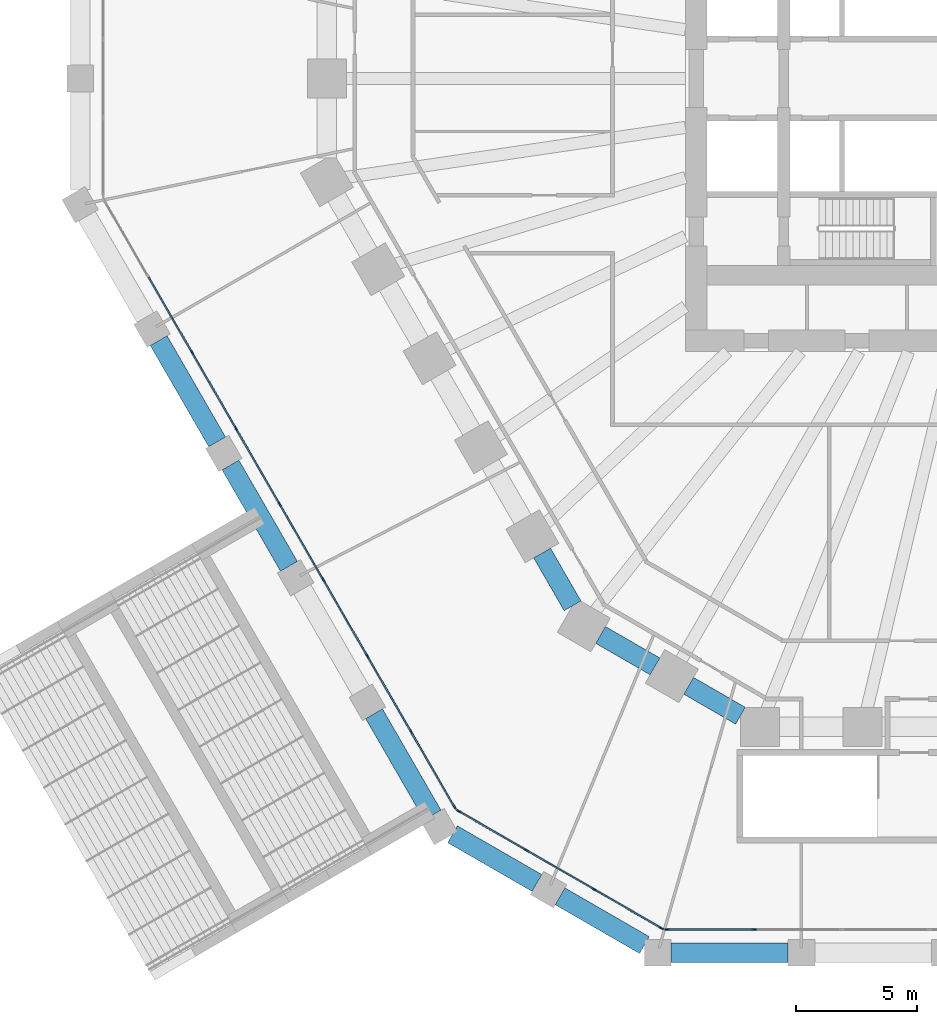
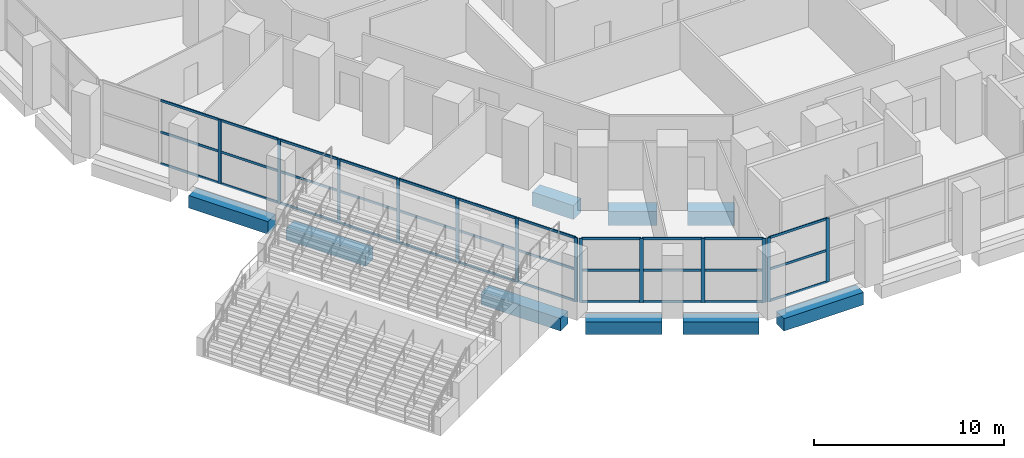
# One storey, part 2 of 38: 46 members, 9 beams, 3 elements without a shape of their own.
"""IFC4 building model written with IfcOpenShell, lengths in metres."""

from ifc_helpers import new_model, si_unit, direction, frame, origin, origin_2d, place, context, subcontext, project, spatial, rectangle, extrude, material, material_profile, profile_set, type_object, element, aggregate, save


model = new_model("IFC4")

# Units and contexts
model_context = context("Model", 3, precision=1e-05, world=origin(), true_north=direction((0.0, 1.0)))
body_context = subcontext(model_context, "Body", "Model", "MODEL_VIEW")
ifc_project = project(units=[si_unit("LENGTHUNIT", "METRE"), si_unit("AREAUNIT", "SQUARE_METRE"), si_unit("VOLUMEUNIT", "CUBIC_METRE"), si_unit("PLANEANGLEUNIT", "RADIAN"), si_unit("MASSUNIT", "GRAM", prefix="KILO")], contexts=[model_context])

# Site, building, storey
site_placement = place(None, origin())
site = spatial("IfcSite", under=ifc_project, at=site_placement, CompositionType="ELEMENT")
building_placement = place(site_placement, origin())
building = spatial("IfcBuilding", under=site, at=building_placement, Name="Frailejon Research Tower", CompositionType="ELEMENT")
storey_placement = place(building_placement, frame((0.0, 0.0, 10.199951171875)))
storey = spatial("IfcBuildingStorey", under=building, at=storey_placement, Name="L02", CompositionType="ELEMENT", Elevation=10.199951171875)

# Beams
ifc_material_1 = material(Name="Concrete C60/75", Category="concrete")
ifc_material_profile_1 = material_profile(ifc_material_1, rectangle(XDim=0.800048828125, YDim=0.800048828125, at=origin_2d()), Name="Base ring beam")
ifc_profile_set_1 = profile_set([ifc_material_profile_1], Name="Concrete C60/75")
beam_type_1 = type_object("IfcBeamType", Name="Base ring beam", PredefinedType="BEAM", material=ifc_profile_set_1)
for number, where, z_axis, x_axis, name in (
    (1, (-35.33740234375, -10.7939453125, -0.75), (0.50000634465, -0.866021740668, 0.0), (0.866021740668, 0.50000634465, 0.0), "Base ring beam"),
    (2, (-32.38037109375, -15.91552734375, -0.75), (0.50000634465, -0.866021740668, 0.0), (0.866021740668, 0.50000634465, 0.0), "Base ring beam"),
):
    element("IfcBeam", number, at=place(storey_placement, frame(where, z_axis=z_axis, x_axis=x_axis)), inside=storey, type_object=beam_type_1, Name=name, PredefinedType="BEAM", context=body_context, shape_type="SweptSolid", body=[
        extrude(rectangle(XDim=0.800048828125, YDim=0.800048828125, at=origin_2d()), origin(), (0.0, 0.0, 1.0), 4.81396484375),
    ])
beam_1_placement = place(storey_placement, frame((-26.466552734375, -26.15869140625, -0.75), z_axis=(0.500028306193, -0.866009060579, 0.0), x_axis=(0.866009060579, 0.500028306193, 0.0)))
element("IfcBeam", 3, at=beam_1_placement, inside=storey, type_object=beam_type_1, Name="Base ring beam", PredefinedType="BEAM", context=body_context, shape_type="SweptSolid", body=[
    extrude(rectangle(XDim=0.800048828125, YDim=0.800048828125, at=origin_2d()), origin(), (0.0, 0.0, 1.0), 4.813720703125),
])
for number, where, z_axis, x_axis, name in (
    (4, (-23.234619140625, -31.121337890625, -0.75), (0.866013269967, -0.500021015799, 0.0), (0.500021015799, 0.866013269967, 0.0), "Base ring beam"),
    (5, (-18.808349609375, -33.677001953125, -0.75), (0.866013269967, -0.500021015799, 0.0), (0.500021015799, 0.866013269967, 0.0), "Base ring beam"),
):
    element("IfcBeam", number, at=place(storey_placement, frame(where, z_axis=z_axis, x_axis=x_axis)), inside=storey, type_object=beam_type_1, Name=name, PredefinedType="BEAM", context=body_context, shape_type="SweptSolid", body=[
        extrude(rectangle(XDim=0.800048828125, YDim=0.800048828125, at=origin_2d()), origin(), (0.0, 0.0, 1.0), 4.010986328125),
    ])
beam_2_placement = place(storey_placement, frame((-14.234619140625, -36.0, -0.75), z_axis=(1.0, 0.0, 0.0), x_axis=(0.0, 1.0, 0.0)))
element("IfcBeam", 6, at=beam_2_placement, inside=storey, type_object=beam_type_1, Name="Base ring beam", PredefinedType="BEAM", context=body_context, shape_type="SweptSolid", body=[
    extrude(rectangle(XDim=0.800048828125, YDim=0.800048828125, at=origin_2d()), origin(), (0.0, 0.0, 1.0), 4.813720703125),
])
ifc_material_2 = material(Name="Concrete C60/75", Category="concrete")
ifc_material_profile_2 = material_profile(ifc_material_2, rectangle(XDim=0.800048828125, YDim=0.89990234375, at=origin_2d()), Name="Podium ring beam")
ifc_profile_set_2 = profile_set([ifc_material_profile_2], Name="Concrete C60/75")
beam_type_2 = type_object("IfcBeamType", Name="Podium ring beam", PredefinedType="BEAM", material=ifc_profile_set_2)
beam_3_placement = place(storey_placement, frame((-19.548828125, -19.540283203125, -0.800048828125), z_axis=(0.499949964382, -0.866054289935, 0.0), x_axis=(0.866054289935, 0.499949964382, 0.0)))
element("IfcBeam", 7, at=beam_3_placement, inside=storey, type_object=beam_type_2, Name="Podium ring beam", PredefinedType="BEAM", context=body_context, shape_type="SweptSolid", body=[
    extrude(rectangle(XDim=0.800048828125, YDim=0.89990234375, at=origin_2d()), origin(), (0.0, 0.0, 1.0), 2.508056640625),
])
beam_4_placement = place(storey_placement, frame((-17.14013671875, -22.912353515625, -0.800048828125), z_axis=(0.866004899711, -0.500035512416, 0.0), x_axis=(0.500035512416, 0.866004899711, 0.0)))
element("IfcBeam", 8, at=beam_4_placement, inside=storey, type_object=beam_type_2, Name="Podium ring beam", PredefinedType="BEAM", context=body_context, shape_type="SweptSolid", body=[
    extrude(rectangle(XDim=0.800048828125, YDim=0.89990234375, at=origin_2d()), origin(), (0.0, 0.0, 1.0), 2.587646484375),
])
beam_5_placement = place(storey_placement, frame((-13.513671875, -25.006103515625, -0.800048828125), z_axis=(0.86602717807, -0.499996926835, 0.0), x_axis=(0.499996926835, 0.86602717807, 0.0)))
element("IfcBeam", 9, at=beam_5_placement, inside=storey, type_object=beam_type_2, Name="Podium ring beam", PredefinedType="BEAM", context=body_context, shape_type="SweptSolid", body=[
    extrude(rectangle(XDim=0.800048828125, YDim=0.89990234375, at=origin_2d()), origin(), (0.0, 0.0, 1.0), 2.4638671875),
])

# Curtain wall, members
ifc_material_3 = material(Name="Aluminium curtain wall", Category="aluminium")
curtain_wall_type = type_object("IfcCurtainWallType", Name="Podium stick curtain wall system", PredefinedType="NOTDEFINED", material=ifc_material_3)
curtain_wall_1_placement = place(storey_placement, origin())
curtain_wall_1 = element("IfcCurtainWall", 10, at=curtain_wall_1_placement, inside=storey, type_object=curtain_wall_type, Name="Curtain wall L02", PredefinedType="NOTDEFINED")
ifc_material_4 = material(Name="Aluminium extrusion", Category="aluminium")
ifc_material_profile_3 = material_profile(ifc_material_4, rectangle(XDim=0.06005859375, YDim=0.199951171875, at=origin_2d()), Name="Podium stick curtain wall mullion 60x200")
ifc_profile_set_3 = profile_set([ifc_material_profile_3], Name="Aluminium extrusion")
member_type_1 = type_object("IfcMemberType", Name="Podium stick curtain wall mullion 60x200", PredefinedType="MULLION", material=ifc_profile_set_3)
member_1_placement = place(storey_placement, frame((-33.961669921875, -11.276611328125, 0.0), z_axis=(0.0, 0.0, 1.0), x_axis=(0.86602632934, 0.499998396888, 0.0)))
member_1 = element("IfcMember", 11, at=member_1_placement, type_object=member_type_1, Name="CW2-040 mullion 3", PredefinedType="MULLION", context=body_context, shape_type="SweptSolid", body=[
    extrude(rectangle(XDim=0.06005859375, YDim=0.199951171875, at=origin_2d()), origin(), (0.0, 0.0, 1.0), 4.10009765625),
])
member_2_placement = place(storey_placement, frame((-32.157958984375, -14.40087890625, 0.0), z_axis=(0.0, 0.0, 1.0), x_axis=(0.86602632934, 0.499998396888, 0.0)))
member_2 = element("IfcMember", 12, at=member_2_placement, type_object=member_type_1, Name="CW2-040 mullion 4", PredefinedType="MULLION", context=body_context, shape_type="SweptSolid", body=[
    extrude(rectangle(XDim=0.06005859375, YDim=0.199951171875, at=origin_2d()), origin(), (0.0, 0.0, 1.0), 4.10009765625),
])
member_3_placement = place(storey_placement, frame((-30.354248046875, -17.52490234375, 0.0), z_axis=(0.0, 0.0, 1.0), x_axis=(0.86602632934, 0.499998396888, 0.0)))
member_3 = element("IfcMember", 13, at=member_3_placement, type_object=member_type_1, Name="CW2-040 mullion 5", PredefinedType="MULLION", context=body_context, shape_type="SweptSolid", body=[
    extrude(rectangle(XDim=0.06005859375, YDim=0.199951171875, at=origin_2d()), origin(), (0.0, 0.0, 1.0), 4.10009765625),
])
member_4_placement = place(storey_placement, frame((-28.550537109375, -20.649169921875, 0.0), z_axis=(0.0, 0.0, 1.0), x_axis=(0.86602632934, 0.499998396888, 0.0)))
member_4 = element("IfcMember", 14, at=member_4_placement, type_object=member_type_1, Name="CW2-040 mullion 6", PredefinedType="MULLION", context=body_context, shape_type="SweptSolid", body=[
    extrude(rectangle(XDim=0.06005859375, YDim=0.199951171875, at=origin_2d()), origin(), (0.0, 0.0, 1.0), 4.10009765625),
])
member_5_placement = place(storey_placement, frame((-26.74658203125, -23.7734375, 0.0), z_axis=(0.0, 0.0, 1.0), x_axis=(0.86602632934, 0.499998396888, 0.0)))
member_5 = element("IfcMember", 15, at=member_5_placement, type_object=member_type_1, Name="CW2-040 mullion 7", PredefinedType="MULLION", context=body_context, shape_type="SweptSolid", body=[
    extrude(rectangle(XDim=0.06005859375, YDim=0.199951171875, at=origin_2d()), origin(), (0.0, 0.0, 1.0), 4.10009765625),
])
member_6_placement = place(storey_placement, frame((-24.94287109375, -26.897705078125, 0.0), z_axis=(0.0, 0.0, 1.0), x_axis=(0.86602632934, 0.499998396888, 0.0)))
member_6 = element("IfcMember", 16, at=member_6_placement, type_object=member_type_1, Name="CW2-040 mullion 8", PredefinedType="MULLION", context=body_context, shape_type="SweptSolid", body=[
    extrude(rectangle(XDim=0.06005859375, YDim=0.199951171875, at=origin_2d()), origin(), (0.0, 0.0, 1.0), 4.10009765625),
])
member_7_placement = place(storey_placement, frame((-23.154296875, -29.995849609375, 0.0), z_axis=(0.0, 0.0, 1.0), x_axis=(0.86602632934, 0.499998396888, 0.0)))
member_7 = element("IfcMember", 17, at=member_7_placement, type_object=member_type_1, Name="CW2-040 mullion 9", PredefinedType="MULLION", context=body_context, shape_type="SweptSolid", body=[
    extrude(rectangle(XDim=0.06005859375, YDim=0.199951171875, at=origin_2d()), origin(), (0.0, 0.0, 1.0), 4.10009765625),
])

curtain_wall_2_placement = place(storey_placement, origin())
curtain_wall_2 = element("IfcCurtainWall", 18, at=curtain_wall_2_placement, inside=storey, type_object=curtain_wall_type, Name="Curtain wall L02", PredefinedType="NOTDEFINED")
member_8_placement = place(storey_placement, frame((-22.9765625, -30.17333984375, 0.0), z_axis=(0.0, 0.0, 1.0), x_axis=(0.499999874334, 0.866025476338, 0.0)))
member_8 = element("IfcMember", 19, at=member_8_placement, type_object=member_type_1, Name="CW2-041 mullion 1", PredefinedType="MULLION", context=body_context, shape_type="SweptSolid", body=[
    extrude(rectangle(XDim=0.06005859375, YDim=0.199951171875, at=origin_2d()), origin(), (0.0, 0.0, 1.0), 4.10009765625),
])
member_9_placement = place(storey_placement, frame((-20.207275390625, -31.772216796875, 0.0), z_axis=(0.0, 0.0, 1.0), x_axis=(0.499999874334, 0.866025476338, 0.0)))
member_9 = element("IfcMember", 20, at=member_9_placement, type_object=member_type_1, Name="CW2-041 mullion 2", PredefinedType="MULLION", context=body_context, shape_type="SweptSolid", body=[
    extrude(rectangle(XDim=0.06005859375, YDim=0.199951171875, at=origin_2d()), origin(), (0.0, 0.0, 1.0), 4.10009765625),
])
member_10_placement = place(storey_placement, frame((-17.412109375, -33.38623046875, 0.0), z_axis=(0.0, 0.0, 1.0), x_axis=(0.499999874334, 0.866025476338, 0.0)))
member_10 = element("IfcMember", 21, at=member_10_placement, type_object=member_type_1, Name="CW2-041 mullion 3", PredefinedType="MULLION", context=body_context, shape_type="SweptSolid", body=[
    extrude(rectangle(XDim=0.06005859375, YDim=0.199951171875, at=origin_2d()), origin(), (0.0, 0.0, 1.0), 4.10009765625),
])
member_11_placement = place(storey_placement, frame((-14.642578125, -34.985107421875, 0.0), z_axis=(0.0, 0.0, 1.0), x_axis=(0.499999874334, 0.866025476338, 0.0)))
member_11 = element("IfcMember", 22, at=member_11_placement, type_object=member_type_1, Name="CW2-041 mullion 4", PredefinedType="MULLION", context=body_context, shape_type="SweptSolid", body=[
    extrude(rectangle(XDim=0.06005859375, YDim=0.199951171875, at=origin_2d()), origin(), (0.0, 0.0, 1.0), 4.10009765625),
])

curtain_wall_3_placement = place(storey_placement, origin())
curtain_wall_3 = element("IfcCurtainWall", 23, at=curtain_wall_3_placement, inside=storey, type_object=curtain_wall_type, Name="Curtain wall L02", PredefinedType="NOTDEFINED")
member_12_placement = place(storey_placement, frame((-14.400146484375, -35.050048828125, 0.0), z_axis=(0.0, 0.0, 1.0), x_axis=(0.0, 1.0, 0.0)))
member_12 = element("IfcMember", 24, at=member_12_placement, type_object=member_type_1, Name="CW2-042 mullion 1", PredefinedType="MULLION", context=body_context, shape_type="SweptSolid", body=[
    extrude(rectangle(XDim=0.06005859375, YDim=0.199951171875, at=origin_2d()), origin(), (0.0, 0.0, 1.0), 4.10009765625),
])
member_13_placement = place(storey_placement, frame((-10.822509765625, -35.050048828125, 0.0), z_axis=(0.0, 0.0, 1.0), x_axis=(0.0, 1.0, 0.0)))
member_13 = element("IfcMember", 25, at=member_13_placement, type_object=member_type_1, Name="CW2-042 mullion 2", PredefinedType="MULLION", context=body_context, shape_type="SweptSolid", body=[
    extrude(rectangle(XDim=0.06005859375, YDim=0.199951171875, at=origin_2d()), origin(), (0.0, 0.0, 1.0), 4.10009765625),
])

# Member
ifc_material_5 = material(Name="Aluminium extrusion", Category="aluminium")
ifc_material_profile_4 = material_profile(ifc_material_5, rectangle(XDim=0.06005859375, YDim=0.14990234375, at=origin_2d()), Name="Podium stick curtain wall transom 60x150")
ifc_profile_set_4 = profile_set([ifc_material_profile_4], Name="Aluminium extrusion")
member_type_2 = type_object("IfcMemberType", Name="Podium stick curtain wall transom 60x150", PredefinedType="USERDEFINED", material=ifc_profile_set_4)
member_14_placement = place(storey_placement, frame((-35.75048828125, -8.178466796875, 0.030029296875), z_axis=(0.499980603476, -0.866036602083, 0.0), x_axis=(0.866036602083, 0.499980603476, 0.0)))
member_14 = element("IfcMember", 26, at=member_14_placement, type_object=member_type_2, Name="CW2-040 transom 2.1", ObjectType="TRANSOM", PredefinedType="USERDEFINED", context=body_context, shape_type="SweptSolid", body=[
    extrude(rectangle(XDim=0.06005859375, YDim=0.14990234375, at=origin_2d()), origin(), (0.0, 0.0, 1.0), 3.547607421875),
])

member_15_placement = place(storey_placement, frame((-35.75048828125, -8.178466796875, 2.050048828125), z_axis=(0.499980603476, -0.866036602083, 0.0), x_axis=(0.866036602083, 0.499980603476, 0.0)))
member_15 = element("IfcMember", 27, at=member_15_placement, type_object=member_type_2, Name="CW2-040 transom 2.2", ObjectType="TRANSOM", PredefinedType="USERDEFINED", context=body_context, shape_type="SweptSolid", body=[
    extrude(rectangle(XDim=0.06005859375, YDim=0.14990234375, at=origin_2d()), origin(), (0.0, 0.0, 1.0), 3.547607421875),
])

member_16_placement = place(storey_placement, frame((-35.75048828125, -8.178466796875, 4.070068359375), z_axis=(0.499980603476, -0.866036602083, 0.0), x_axis=(0.866036602083, 0.499980603476, 0.0)))
member_16 = element("IfcMember", 28, at=member_16_placement, type_object=member_type_2, Name="CW2-040 transom 2.3", ObjectType="TRANSOM", PredefinedType="USERDEFINED", context=body_context, shape_type="SweptSolid", body=[
    extrude(rectangle(XDim=0.06005859375, YDim=0.14990234375, at=origin_2d()), origin(), (0.0, 0.0, 1.0), 3.547607421875),
])

member_17_placement = place(storey_placement, frame((-33.94677734375, -11.302490234375, 0.030029296875), z_axis=(0.500032217487, -0.86600680221, 0.0), x_axis=(0.86600680221, 0.500032217487, 0.0)))
member_17 = element("IfcMember", 29, at=member_17_placement, type_object=member_type_2, Name="CW2-040 transom 3.1", ObjectType="TRANSOM", PredefinedType="USERDEFINED", context=body_context, shape_type="SweptSolid", body=[
    extrude(rectangle(XDim=0.06005859375, YDim=0.14990234375, at=origin_2d()), origin(), (0.0, 0.0, 1.0), 3.547607421875),
])

member_18_placement = place(storey_placement, frame((-33.94677734375, -11.302490234375, 2.050048828125), z_axis=(0.500032217487, -0.86600680221, 0.0), x_axis=(0.86600680221, 0.500032217487, 0.0)))
member_18 = element("IfcMember", 30, at=member_18_placement, type_object=member_type_2, Name="CW2-040 transom 3.2", ObjectType="TRANSOM", PredefinedType="USERDEFINED", context=body_context, shape_type="SweptSolid", body=[
    extrude(rectangle(XDim=0.06005859375, YDim=0.14990234375, at=origin_2d()), origin(), (0.0, 0.0, 1.0), 3.547607421875),
])

member_19_placement = place(storey_placement, frame((-33.94677734375, -11.302490234375, 4.070068359375), z_axis=(0.500032217487, -0.86600680221, 0.0), x_axis=(0.86600680221, 0.500032217487, 0.0)))
member_19 = element("IfcMember", 31, at=member_19_placement, type_object=member_type_2, Name="CW2-040 transom 3.3", ObjectType="TRANSOM", PredefinedType="USERDEFINED", context=body_context, shape_type="SweptSolid", body=[
    extrude(rectangle(XDim=0.06005859375, YDim=0.14990234375, at=origin_2d()), origin(), (0.0, 0.0, 1.0), 3.547607421875),
])

member_20_placement = place(storey_placement, frame((-32.14306640625, -14.4267578125, 0.030029296875), z_axis=(0.500032217487, -0.86600680221, 0.0), x_axis=(0.86600680221, 0.500032217487, 0.0)))
member_20 = element("IfcMember", 32, at=member_20_placement, type_object=member_type_2, Name="CW2-040 transom 4.1", ObjectType="TRANSOM", PredefinedType="USERDEFINED", context=body_context, shape_type="SweptSolid", body=[
    extrude(rectangle(XDim=0.06005859375, YDim=0.14990234375, at=origin_2d()), origin(), (0.0, 0.0, 1.0), 3.547607421875),
])

member_21_placement = place(storey_placement, frame((-32.14306640625, -14.4267578125, 2.050048828125), z_axis=(0.500032217487, -0.86600680221, 0.0), x_axis=(0.86600680221, 0.500032217487, 0.0)))
member_21 = element("IfcMember", 33, at=member_21_placement, type_object=member_type_2, Name="CW2-040 transom 4.2", ObjectType="TRANSOM", PredefinedType="USERDEFINED", context=body_context, shape_type="SweptSolid", body=[
    extrude(rectangle(XDim=0.06005859375, YDim=0.14990234375, at=origin_2d()), origin(), (0.0, 0.0, 1.0), 3.547607421875),
])

member_22_placement = place(storey_placement, frame((-32.14306640625, -14.4267578125, 4.070068359375), z_axis=(0.500032217487, -0.86600680221, 0.0), x_axis=(0.86600680221, 0.500032217487, 0.0)))
member_22 = element("IfcMember", 34, at=member_22_placement, type_object=member_type_2, Name="CW2-040 transom 4.3", ObjectType="TRANSOM", PredefinedType="USERDEFINED", context=body_context, shape_type="SweptSolid", body=[
    extrude(rectangle(XDim=0.06005859375, YDim=0.14990234375, at=origin_2d()), origin(), (0.0, 0.0, 1.0), 3.547607421875),
])

member_23_placement = place(storey_placement, frame((-30.339111328125, -17.551025390625, 0.030029296875), z_axis=(0.499980603476, -0.866036602083, 0.0), x_axis=(0.866036602083, 0.499980603476, 0.0)))
member_23 = element("IfcMember", 35, at=member_23_placement, type_object=member_type_2, Name="CW2-040 transom 5.1", ObjectType="TRANSOM", PredefinedType="USERDEFINED", context=body_context, shape_type="SweptSolid", body=[
    extrude(rectangle(XDim=0.06005859375, YDim=0.14990234375, at=origin_2d()), origin(), (0.0, 0.0, 1.0), 3.547607421875),
])

member_24_placement = place(storey_placement, frame((-30.339111328125, -17.551025390625, 2.050048828125), z_axis=(0.499980603476, -0.866036602083, 0.0), x_axis=(0.866036602083, 0.499980603476, 0.0)))
member_24 = element("IfcMember", 36, at=member_24_placement, type_object=member_type_2, Name="CW2-040 transom 5.2", ObjectType="TRANSOM", PredefinedType="USERDEFINED", context=body_context, shape_type="SweptSolid", body=[
    extrude(rectangle(XDim=0.06005859375, YDim=0.14990234375, at=origin_2d()), origin(), (0.0, 0.0, 1.0), 3.547607421875),
])

member_25_placement = place(storey_placement, frame((-30.339111328125, -17.551025390625, 4.070068359375), z_axis=(0.499980603476, -0.866036602083, 0.0), x_axis=(0.866036602083, 0.499980603476, 0.0)))
member_25 = element("IfcMember", 37, at=member_25_placement, type_object=member_type_2, Name="CW2-040 transom 5.3", ObjectType="TRANSOM", PredefinedType="USERDEFINED", context=body_context, shape_type="SweptSolid", body=[
    extrude(rectangle(XDim=0.06005859375, YDim=0.14990234375, at=origin_2d()), origin(), (0.0, 0.0, 1.0), 3.547607421875),
])

member_26_placement = place(storey_placement, frame((-28.535400390625, -20.67529296875, 0.030029296875), z_axis=(0.500010404316, -0.866019396766, 0.0), x_axis=(0.866019396766, 0.500010404316, 0.0)))
member_26 = element("IfcMember", 38, at=member_26_placement, type_object=member_type_2, Name="CW2-040 transom 6.1", ObjectType="TRANSOM", PredefinedType="USERDEFINED", context=body_context, shape_type="SweptSolid", body=[
    extrude(rectangle(XDim=0.06005859375, YDim=0.14990234375, at=origin_2d()), origin(), (0.0, 0.0, 1.0), 3.54736328125),
])

member_27_placement = place(storey_placement, frame((-28.535400390625, -20.67529296875, 2.050048828125), z_axis=(0.500010404316, -0.866019396766, 0.0), x_axis=(0.866019396766, 0.500010404316, 0.0)))
member_27 = element("IfcMember", 39, at=member_27_placement, type_object=member_type_2, Name="CW2-040 transom 6.2", ObjectType="TRANSOM", PredefinedType="USERDEFINED", context=body_context, shape_type="SweptSolid", body=[
    extrude(rectangle(XDim=0.06005859375, YDim=0.14990234375, at=origin_2d()), origin(), (0.0, 0.0, 1.0), 3.54736328125),
])

member_28_placement = place(storey_placement, frame((-28.535400390625, -20.67529296875, 4.070068359375), z_axis=(0.500010404316, -0.866019396766, 0.0), x_axis=(0.866019396766, 0.500010404316, 0.0)))
member_28 = element("IfcMember", 40, at=member_28_placement, type_object=member_type_2, Name="CW2-040 transom 6.3", ObjectType="TRANSOM", PredefinedType="USERDEFINED", context=body_context, shape_type="SweptSolid", body=[
    extrude(rectangle(XDim=0.06005859375, YDim=0.14990234375, at=origin_2d()), origin(), (0.0, 0.0, 1.0), 3.54736328125),
])

member_29_placement = place(storey_placement, frame((-26.731689453125, -23.79931640625, 0.030029296875), z_axis=(0.499980603476, -0.866036602083, 0.0), x_axis=(0.866036602083, 0.499980603476, 0.0)))
member_29 = element("IfcMember", 41, at=member_29_placement, type_object=member_type_2, Name="CW2-040 transom 7.1", ObjectType="TRANSOM", PredefinedType="USERDEFINED", context=body_context, shape_type="SweptSolid", body=[
    extrude(rectangle(XDim=0.06005859375, YDim=0.14990234375, at=origin_2d()), origin(), (0.0, 0.0, 1.0), 3.547607421875),
])

member_30_placement = place(storey_placement, frame((-26.731689453125, -23.79931640625, 2.050048828125), z_axis=(0.499980603476, -0.866036602083, 0.0), x_axis=(0.866036602083, 0.499980603476, 0.0)))
member_30 = element("IfcMember", 42, at=member_30_placement, type_object=member_type_2, Name="CW2-040 transom 7.2", ObjectType="TRANSOM", PredefinedType="USERDEFINED", context=body_context, shape_type="SweptSolid", body=[
    extrude(rectangle(XDim=0.06005859375, YDim=0.14990234375, at=origin_2d()), origin(), (0.0, 0.0, 1.0), 3.547607421875),
])

member_31_placement = place(storey_placement, frame((-26.731689453125, -23.79931640625, 4.070068359375), z_axis=(0.499980603476, -0.866036602083, 0.0), x_axis=(0.866036602083, 0.499980603476, 0.0)))
member_31 = element("IfcMember", 43, at=member_31_placement, type_object=member_type_2, Name="CW2-040 transom 7.3", ObjectType="TRANSOM", PredefinedType="USERDEFINED", context=body_context, shape_type="SweptSolid", body=[
    extrude(rectangle(XDim=0.06005859375, YDim=0.14990234375, at=origin_2d()), origin(), (0.0, 0.0, 1.0), 3.547607421875),
])

member_32_placement = place(storey_placement, frame((-24.927978515625, -26.923583984375, 0.030029296875), z_axis=(0.500020858477, -0.866013360802, 0.0), x_axis=(0.866013360802, 0.500020858477, 0.0)))
member_32 = element("IfcMember", 44, at=member_32_placement, type_object=member_type_2, Name="CW2-040 transom 8.1", ObjectType="TRANSOM", PredefinedType="USERDEFINED", context=body_context, shape_type="SweptSolid", body=[
    extrude(rectangle(XDim=0.06005859375, YDim=0.14990234375, at=origin_2d()), origin(), (0.0, 0.0, 1.0), 3.517333984375),
])

member_33_placement = place(storey_placement, frame((-24.927978515625, -26.923583984375, 2.050048828125), z_axis=(0.500020858477, -0.866013360802, 0.0), x_axis=(0.866013360802, 0.500020858477, 0.0)))
member_33 = element("IfcMember", 45, at=member_33_placement, type_object=member_type_2, Name="CW2-040 transom 8.2", ObjectType="TRANSOM", PredefinedType="USERDEFINED", context=body_context, shape_type="SweptSolid", body=[
    extrude(rectangle(XDim=0.06005859375, YDim=0.14990234375, at=origin_2d()), origin(), (0.0, 0.0, 1.0), 3.517333984375),
])

member_34_placement = place(storey_placement, frame((-24.927978515625, -26.923583984375, 4.070068359375), z_axis=(0.500020858477, -0.866013360802, 0.0), x_axis=(0.866013360802, 0.500020858477, 0.0)))
member_34 = element("IfcMember", 46, at=member_34_placement, type_object=member_type_2, Name="CW2-040 transom 8.3", ObjectType="TRANSOM", PredefinedType="USERDEFINED", context=body_context, shape_type="SweptSolid", body=[
    extrude(rectangle(XDim=0.06005859375, YDim=0.14990234375, at=origin_2d()), origin(), (0.0, 0.0, 1.0), 3.517333984375),
])

aggregate(curtain_wall_1, [member_1, member_2, member_3, member_4, member_5, member_6, member_7, member_14, member_15, member_16, member_17, member_18, member_19, member_20, member_21, member_22, member_23, member_24, member_25, member_26, member_27, member_28, member_29, member_30, member_31, member_32, member_33, member_34])

member_35_placement = place(storey_placement, frame((-22.95068359375, -30.1884765625, 0.030029296875), z_axis=(0.866022320763, -0.500005339912, 0.0), x_axis=(0.500005339912, 0.866022320763, 0.0)))
member_35 = element("IfcMember", 47, at=member_35_placement, type_object=member_type_2, Name="CW2-041 transom 1.1", ObjectType="TRANSOM", PredefinedType="USERDEFINED", context=body_context, shape_type="SweptSolid", body=[
    extrude(rectangle(XDim=0.06005859375, YDim=0.14990234375, at=origin_2d()), origin(), (0.0, 0.0, 1.0), 3.1376953125),
])

member_36_placement = place(storey_placement, frame((-22.95068359375, -30.1884765625, 2.050048828125), z_axis=(0.866022320763, -0.500005339912, 0.0), x_axis=(0.500005339912, 0.866022320763, 0.0)))
member_36 = element("IfcMember", 48, at=member_36_placement, type_object=member_type_2, Name="CW2-041 transom 1.2", ObjectType="TRANSOM", PredefinedType="USERDEFINED", context=body_context, shape_type="SweptSolid", body=[
    extrude(rectangle(XDim=0.06005859375, YDim=0.14990234375, at=origin_2d()), origin(), (0.0, 0.0, 1.0), 3.1376953125),
])

member_37_placement = place(storey_placement, frame((-22.95068359375, -30.1884765625, 4.070068359375), z_axis=(0.866022320763, -0.500005339912, 0.0), x_axis=(0.500005339912, 0.866022320763, 0.0)))
member_37 = element("IfcMember", 49, at=member_37_placement, type_object=member_type_2, Name="CW2-041 transom 1.3", ObjectType="TRANSOM", PredefinedType="USERDEFINED", context=body_context, shape_type="SweptSolid", body=[
    extrude(rectangle(XDim=0.06005859375, YDim=0.14990234375, at=origin_2d()), origin(), (0.0, 0.0, 1.0), 3.1376953125),
])

member_38_placement = place(storey_placement, frame((-20.181396484375, -31.787353515625, 0.030029296875), z_axis=(0.866048262394, -0.499960405637, 0.0), x_axis=(0.499960405637, 0.866048262394, 0.0)))
member_38 = element("IfcMember", 50, at=member_38_placement, type_object=member_type_2, Name="CW2-041 transom 2.1", ObjectType="TRANSOM", PredefinedType="USERDEFINED", context=body_context, shape_type="SweptSolid", body=[
    extrude(rectangle(XDim=0.06005859375, YDim=0.14990234375, at=origin_2d()), origin(), (0.0, 0.0, 1.0), 3.167724609375),
])

member_39_placement = place(storey_placement, frame((-20.181396484375, -31.787353515625, 2.050048828125), z_axis=(0.866048262394, -0.499960405637, 0.0), x_axis=(0.499960405637, 0.866048262394, 0.0)))
member_39 = element("IfcMember", 51, at=member_39_placement, type_object=member_type_2, Name="CW2-041 transom 2.2", ObjectType="TRANSOM", PredefinedType="USERDEFINED", context=body_context, shape_type="SweptSolid", body=[
    extrude(rectangle(XDim=0.06005859375, YDim=0.14990234375, at=origin_2d()), origin(), (0.0, 0.0, 1.0), 3.167724609375),
])

member_40_placement = place(storey_placement, frame((-20.181396484375, -31.787353515625, 4.070068359375), z_axis=(0.866048262394, -0.499960405637, 0.0), x_axis=(0.499960405637, 0.866048262394, 0.0)))
member_40 = element("IfcMember", 52, at=member_40_placement, type_object=member_type_2, Name="CW2-041 transom 2.3", ObjectType="TRANSOM", PredefinedType="USERDEFINED", context=body_context, shape_type="SweptSolid", body=[
    extrude(rectangle(XDim=0.06005859375, YDim=0.14990234375, at=origin_2d()), origin(), (0.0, 0.0, 1.0), 3.167724609375),
])

member_41_placement = place(storey_placement, frame((-17.385986328125, -33.401123046875, 0.030029296875), z_axis=(0.866022320763, -0.500005339912, 0.0), x_axis=(0.500005339912, 0.866022320763, 0.0)))
member_41 = element("IfcMember", 53, at=member_41_placement, type_object=member_type_2, Name="CW2-041 transom 3.1", ObjectType="TRANSOM", PredefinedType="USERDEFINED", context=body_context, shape_type="SweptSolid", body=[
    extrude(rectangle(XDim=0.06005859375, YDim=0.14990234375, at=origin_2d()), origin(), (0.0, 0.0, 1.0), 3.1376953125),
])

member_42_placement = place(storey_placement, frame((-17.385986328125, -33.401123046875, 2.050048828125), z_axis=(0.866022320763, -0.500005339912, 0.0), x_axis=(0.500005339912, 0.866022320763, 0.0)))
member_42 = element("IfcMember", 54, at=member_42_placement, type_object=member_type_2, Name="CW2-041 transom 3.2", ObjectType="TRANSOM", PredefinedType="USERDEFINED", context=body_context, shape_type="SweptSolid", body=[
    extrude(rectangle(XDim=0.06005859375, YDim=0.14990234375, at=origin_2d()), origin(), (0.0, 0.0, 1.0), 3.1376953125),
])

member_43_placement = place(storey_placement, frame((-17.385986328125, -33.401123046875, 4.070068359375), z_axis=(0.866022320763, -0.500005339912, 0.0), x_axis=(0.500005339912, 0.866022320763, 0.0)))
member_43 = element("IfcMember", 55, at=member_43_placement, type_object=member_type_2, Name="CW2-041 transom 3.3", ObjectType="TRANSOM", PredefinedType="USERDEFINED", context=body_context, shape_type="SweptSolid", body=[
    extrude(rectangle(XDim=0.06005859375, YDim=0.14990234375, at=origin_2d()), origin(), (0.0, 0.0, 1.0), 3.1376953125),
])

aggregate(curtain_wall_2, [member_8, member_9, member_10, member_11, member_35, member_36, member_37, member_38, member_39, member_40, member_41, member_42, member_43])

member_44_placement = place(storey_placement, frame((-14.3701171875, -35.050048828125, 0.030029296875), z_axis=(1.0, 0.0, 0.0), x_axis=(0.0, 1.0, 0.0)))
member_44 = element("IfcMember", 56, at=member_44_placement, type_object=member_type_2, Name="CW2-042 transom 1.1", ObjectType="TRANSOM", PredefinedType="USERDEFINED", context=body_context, shape_type="SweptSolid", body=[
    extrude(rectangle(XDim=0.06005859375, YDim=0.14990234375, at=origin_2d()), origin(), (0.0, 0.0, 1.0), 3.517578125),
])

member_45_placement = place(storey_placement, frame((-14.3701171875, -35.050048828125, 2.050048828125), z_axis=(1.0, 0.0, 0.0), x_axis=(0.0, 1.0, 0.0)))
member_45 = element("IfcMember", 57, at=member_45_placement, type_object=member_type_2, Name="CW2-042 transom 1.2", ObjectType="TRANSOM", PredefinedType="USERDEFINED", context=body_context, shape_type="SweptSolid", body=[
    extrude(rectangle(XDim=0.06005859375, YDim=0.14990234375, at=origin_2d()), origin(), (0.0, 0.0, 1.0), 3.517578125),
])

member_46_placement = place(storey_placement, frame((-14.3701171875, -35.050048828125, 4.070068359375), z_axis=(1.0, 0.0, 0.0), x_axis=(0.0, 1.0, 0.0)))
member_46 = element("IfcMember", 58, at=member_46_placement, type_object=member_type_2, Name="CW2-042 transom 1.3", ObjectType="TRANSOM", PredefinedType="USERDEFINED", context=body_context, shape_type="SweptSolid", body=[
    extrude(rectangle(XDim=0.06005859375, YDim=0.14990234375, at=origin_2d()), origin(), (0.0, 0.0, 1.0), 3.517578125),
])

aggregate(curtain_wall_3, [member_12, member_13, member_44, member_45, member_46])

save(model, "model.ifc")
